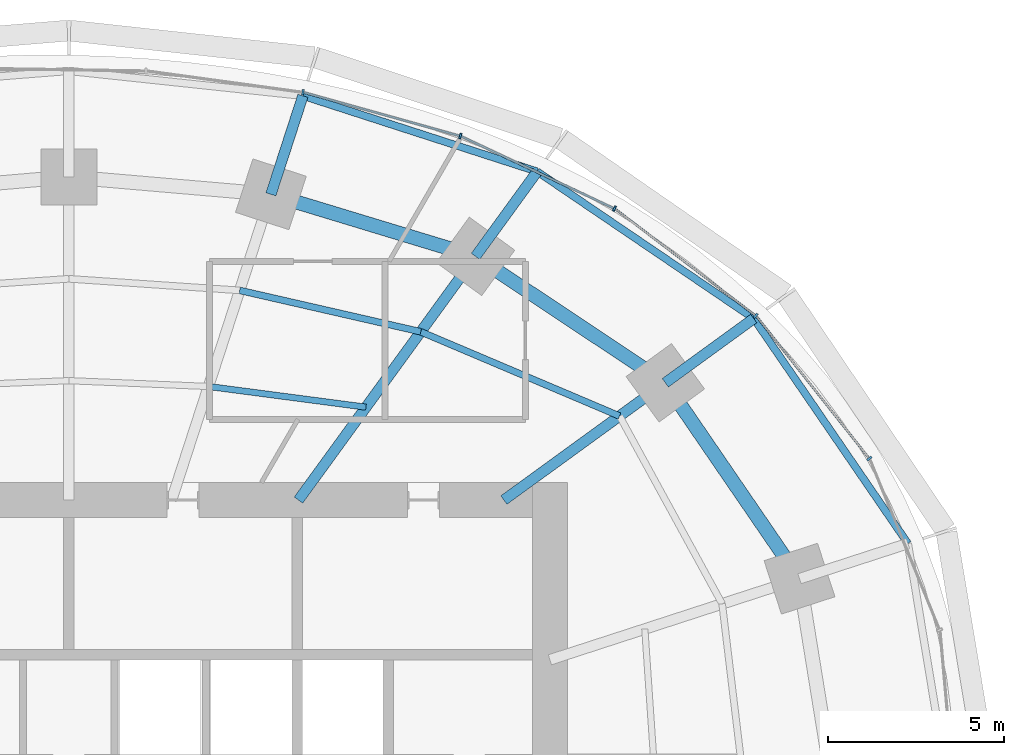
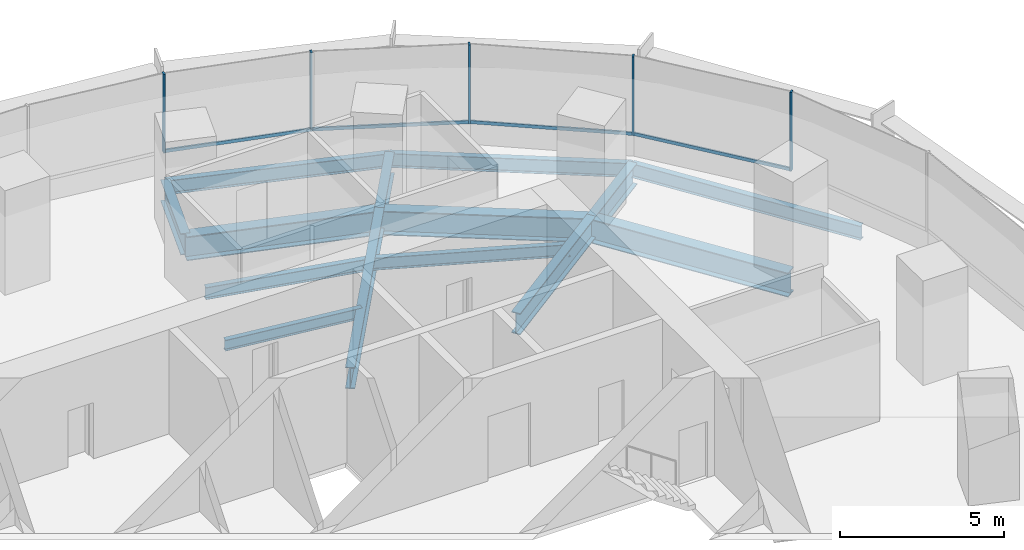
# One storey, part 8 of 14: 14 beams, 9 members, 2 elements without a shape of their own.
"""IFC4 building model written with IfcOpenShell, lengths in metres."""

from ifc_helpers import new_model, si_unit, direction, frame, origin, origin_2d, place, context, subcontext, project, spatial, rectangle, i_section, extrude, material, material_profile, profile_set, type_object, element, aggregate, save


model = new_model("IFC4")

# Units and contexts
model_context = context("Model", 3, precision=1e-05, world=origin(), true_north=direction((0.0, 1.0)))
body_context = subcontext(model_context, "Body", "Model", "MODEL_VIEW")
ifc_project = project(units=[si_unit("LENGTHUNIT", "METRE"), si_unit("AREAUNIT", "SQUARE_METRE"), si_unit("VOLUMEUNIT", "CUBIC_METRE"), si_unit("PLANEANGLEUNIT", "RADIAN"), si_unit("MASSUNIT", "GRAM", prefix="KILO")], contexts=[model_context])

# Site, building, storey
site_placement = place(None, origin())
site = spatial("IfcSite", under=ifc_project, at=site_placement, CompositionType="ELEMENT")
building_placement = place(site_placement, origin())
building = spatial("IfcBuilding", under=site, at=building_placement, Name="Marramba Exchange Tower", CompositionType="ELEMENT")
storey_placement = place(building_placement, frame((0.0, 0.0, 143.10009765625)))
storey = spatial("IfcBuildingStorey", under=building, at=storey_placement, Name="L34", CompositionType="ELEMENT", Elevation=143.10009765625)

# Beams
ifc_material_1 = material(Name="Steel AS/NZS 3679.2 grade 300", Category="steel")
ifc_material_profile_1 = material_profile(ifc_material_1, i_section(OverallWidth=0.300048828125, OverallDepth=0.800048828125, WebThickness=0.013916015625, FlangeThickness=0.031982421875, at=origin_2d()), Name="800WB192")
ifc_profile_set_1 = profile_set([ifc_material_profile_1], Name="Steel AS/NZS 3679.2 grade 300")
beam_type_1 = type_object("IfcBeamType", Name="Cantilever girder 800WB192", PredefinedType="BEAM", material=ifc_profile_set_1)
beam_1_placement = place(storey_placement, frame((16.98583984375, 12.3408203125, -0.56005859375), z_axis=(0.809013970709, 0.58778941399, 0.0), x_axis=(-0.58778941399, 0.809013970709, 0.0)))
element("IfcBeam", 1, at=beam_1_placement, inside=storey, type_object=beam_type_1, Name="Cantilever girder L34 TC03", PredefinedType="BEAM", context=body_context, shape_type="SweptSolid", body=[
    extrude(i_section(OverallWidth=0.300048828125, OverallDepth=0.800048828125, WebThickness=0.013916015625, FlangeThickness=0.031982421875, at=origin_2d()), origin(), (0.0, 0.0, 1.0), 3.1142578125),
])
beam_2_placement = place(storey_placement, frame((11.581298828125, 15.9404296875, -0.56005859375), z_axis=(0.587821738214, 0.808990484544, 0.0), x_axis=(-0.808990484544, 0.587821738214, 0.0)))
element("IfcBeam", 2, at=beam_2_placement, inside=storey, type_object=beam_type_1, Name="Cantilever girder L34 TC04", PredefinedType="BEAM", context=body_context, shape_type="SweptSolid", body=[
    extrude(i_section(OverallWidth=0.300048828125, OverallDepth=0.800048828125, WebThickness=0.013916015625, FlangeThickness=0.031982421875, at=origin_2d()), origin(), (0.0, 0.0, 1.0), 2.987060546875),
])
beam_3_placement = place(storey_placement, frame((5.75390625, 17.70849609375, -0.56005859375), z_axis=(0.309018704887, 0.951055960514, 0.0), x_axis=(-0.951055960514, 0.309018704887, 0.0)))
element("IfcBeam", 3, at=beam_3_placement, inside=storey, type_object=beam_type_1, Name="Cantilever girder L34 TC05", PredefinedType="BEAM", context=body_context, shape_type="SweptSolid", body=[
    extrude(i_section(OverallWidth=0.300048828125, OverallDepth=0.800048828125, WebThickness=0.013916015625, FlangeThickness=0.031982421875, at=origin_2d()), origin(), (0.0, 0.0, 1.0), 2.949951171875),
])
ifc_material_2 = material(Name="Steel AS/NZS 3679.1 grade 300", Category="steel")
ifc_material_profile_2 = material_profile(ifc_material_2, i_section(OverallWidth=0.177978515625, OverallDepth=0.406005859375, WebThickness=0.0078125, FlangeThickness=0.0126953125, FilletRadius=0.011474609375, at=origin_2d()), Name="410UB59.7")
ifc_profile_set_2 = profile_set([ifc_material_profile_2], Name="Steel AS/NZS 3679.1 grade 300")
beam_type_2 = type_object("IfcBeamType", Name="Floor joist 410UB59.7", PredefinedType="JOIST", material=ifc_profile_set_2)
beam_4_placement = place(storey_placement, frame((8.4619140625, 11.646728515625, -0.363037109375), z_axis=(-0.991480538255, 0.130254912618, 0.0), x_axis=(-0.130254912618, -0.991480538255, 0.0)))
element("IfcBeam", 4, at=beam_4_placement, inside=storey, type_object=beam_type_2, Name="Joist L34 bay 04 row 1", PredefinedType="JOIST", context=body_context, shape_type="SweptSolid", body=[
    extrude(i_section(OverallWidth=0.177978515625, OverallDepth=0.406005859375, WebThickness=0.0078125, FlangeThickness=0.0126953125, FilletRadius=0.011474609375, at=origin_2d()), origin(), (0.0, 0.0, 1.0), 4.524658203125),
])
ifc_material_profile_3 = material_profile(ifc_material_2, i_section(OverallWidth=0.18994140625, OverallDepth=0.4541015625, WebThickness=0.008544921875, FlangeThickness=0.0126953125, FilletRadius=0.011474609375, at=origin_2d()), Name="460UB67.1")
ifc_profile_set_3 = profile_set([ifc_material_profile_3], Name="Steel AS/NZS 3679.1 grade 300")
beam_type_3 = type_object("IfcBeamType", Name="Floor joist 460UB67.1", PredefinedType="JOIST", material=ifc_profile_set_3)
beam_5_placement = place(storey_placement, frame((15.682373046875, 11.393798828125, -0.38720703125), z_axis=(-0.920674336375, 0.390331610738, 0.0), x_axis=(-0.390331610738, -0.920674336375, 0.0)))
element("IfcBeam", 5, at=beam_5_placement, inside=storey, type_object=beam_type_3, Name="Joist L34 bay 03 row 2", PredefinedType="JOIST", context=body_context, shape_type="SweptSolid", body=[
    extrude(i_section(OverallWidth=0.18994140625, OverallDepth=0.4541015625, WebThickness=0.008544921875, FlangeThickness=0.0126953125, FilletRadius=0.011474609375, at=origin_2d()), origin(), (0.0, 0.0, 1.0), 6.1484375),
])
beam_6_placement = place(storey_placement, frame((10.021728515625, 13.793701171875, -0.38720703125), z_axis=(-0.974859652292, 0.222819788916, 0.0), x_axis=(-0.222819788916, -0.974859652292, 0.0)))
element("IfcBeam", 6, at=beam_6_placement, inside=storey, type_object=beam_type_3, Name="Joist L34 bay 04 row 2", PredefinedType="JOIST", context=body_context, shape_type="SweptSolid", body=[
    extrude(i_section(OverallWidth=0.18994140625, OverallDepth=0.4541015625, WebThickness=0.008544921875, FlangeThickness=0.0126953125, FilletRadius=0.011474609375, at=origin_2d()), origin(), (0.0, 0.0, 1.0), 5.2900390625),
])

# Curtain wall, members
ifc_material_3 = material(Name="Aluminium framing, bronze anodised", Category="aluminium")
curtain_wall_type = type_object("IfcCurtainWallType", Name="Office ribbon curtain wall", PredefinedType="USERDEFINED", material=ifc_material_3)
curtain_wall_1_placement = place(storey_placement, origin())
curtain_wall_1 = element("IfcCurtainWall", 7, at=curtain_wall_1_placement, inside=storey, type_object=curtain_wall_type, Name="Curtain wall CW4 L34 F01-F05", ObjectType="RIBBON CURTAIN WALL", PredefinedType="USERDEFINED")
ifc_material_4 = material(Name="Aluminium mullion, bronze anodised", Category="aluminium")
ifc_material_profile_4 = material_profile(ifc_material_4, rectangle(XDim=0.159912109375, YDim=0.06005859375, at=origin_2d()), Name="CW4 mullion 60x160")
ifc_profile_set_4 = profile_set([ifc_material_profile_4], Name="Aluminium mullion, bronze anodised")
member_type_1 = type_object("IfcMemberType", Name="Office ribbon curtain wall mullion", PredefinedType="MULLION", material=ifc_profile_set_4)
member_1_placement = place(storey_placement, frame((22.796630859375, 10.181640625, 0.7998046875), z_axis=(0.0, 0.0, 1.0), x_axis=(-0.783563266703, -0.621312004611, 0.0)))
member_1 = element("IfcMember", 8, at=member_1_placement, type_object=member_type_1, Name="CW4 mullion 1", PredefinedType="MULLION", context=body_context, shape_type="SweptSolid", body=[
    extrude(rectangle(XDim=0.159912109375, YDim=0.06005859375, at=origin_2d()), origin(), (0.0, 0.0, 1.0), 2.940185546875),
])
member_2_placement = place(storey_placement, frame((19.5625, 14.24853515625, 0.7998046875), z_axis=(0.0, 0.0, 1.0), x_axis=(-0.60533377223, -0.795971748366, 0.0)))
member_2 = element("IfcMember", 9, at=member_2_placement, type_object=member_type_1, Name="CW4 mullion 1", PredefinedType="MULLION", context=body_context, shape_type="SweptSolid", body=[
    extrude(rectangle(XDim=0.159912109375, YDim=0.06005859375, at=origin_2d()), origin(), (0.0, 0.0, 1.0), 2.940185546875),
])
member_3_placement = place(storey_placement, frame((15.538818359375, 17.300537109375, 0.7998046875), z_axis=(0.0, 0.0, 1.0), x_axis=(-0.426678995157, -0.904403137485, 0.0)))
member_3 = element("IfcMember", 10, at=member_3_placement, type_object=member_type_1, Name="CW4 mullion 1", PredefinedType="MULLION", context=body_context, shape_type="SweptSolid", body=[
    extrude(rectangle(XDim=0.159912109375, YDim=0.06005859375, at=origin_2d()), origin(), (0.0, 0.0, 1.0), 2.940185546875),
])

curtain_wall_2_placement = place(storey_placement, origin())
curtain_wall_2 = element("IfcCurtainWall", 11, at=curtain_wall_2_placement, inside=storey, type_object=curtain_wall_type, Name="Curtain wall CW4 L34 F06-F10", ObjectType="RIBBON CURTAIN WALL", PredefinedType="USERDEFINED")
member_4_placement = place(storey_placement, frame((11.147705078125, 19.366455078125, 0.7998046875), z_axis=(0.0, 0.0, 1.0), x_axis=(-0.268865090816, -0.963177845956, 0.0)))
member_4 = element("IfcMember", 12, at=member_4_placement, type_object=member_type_1, Name="CW4 mullion 1", PredefinedType="MULLION", context=body_context, shape_type="SweptSolid", body=[
    extrude(rectangle(XDim=0.159912109375, YDim=0.06005859375, at=origin_2d()), origin(), (0.0, 0.0, 1.0), 2.940185546875),
])
member_5_placement = place(storey_placement, frame((6.66650390625, 20.61328125, 0.7998046875), z_axis=(0.0, 0.0, 1.0), x_axis=(-0.135785837319, -0.990738212841, 0.0)))
member_5 = element("IfcMember", 13, at=member_5_placement, type_object=member_type_1, Name="CW4 mullion 1", PredefinedType="MULLION", context=body_context, shape_type="SweptSolid", body=[
    extrude(rectangle(XDim=0.159912109375, YDim=0.06005859375, at=origin_2d()), origin(), (0.0, 0.0, 1.0), 2.940185546875),
])

# Member
ifc_material_5 = material(Name="Aluminium transom, bronze anodised", Category="aluminium")
ifc_material_profile_5 = material_profile(ifc_material_5, rectangle(XDim=0.06005859375, YDim=0.1201171875, at=origin_2d()), Name="CW4 transom 60x120")
ifc_profile_set_5 = profile_set([ifc_material_profile_5], Name="Aluminium transom, bronze anodised")
member_type_2 = type_object("IfcMemberType", Name="Office ribbon curtain wall transom", PredefinedType="USERDEFINED", material=ifc_profile_set_5)
member_6_placement = place(storey_placement, frame((22.778076171875, 10.205078125, 0.829833984375), z_axis=(-0.621339379472, 0.783541559534, 0.0), x_axis=(-0.783541559534, -0.621339379472, 0.0)))
member_6 = element("IfcMember", 14, at=member_6_placement, type_object=member_type_2, Name="CW4 sill transom", ObjectType="TRANSOM", PredefinedType="USERDEFINED", context=body_context, shape_type="SweptSolid", body=[
    extrude(rectangle(XDim=0.06005859375, YDim=0.1201171875, at=origin_2d()), origin(), (0.0, 0.0, 1.0), 5.13720703125),
])

member_7_placement = place(storey_placement, frame((19.53857421875, 14.2666015625, 0.829833984375), z_axis=(-0.7959906025, 0.605308979556, 0.0), x_axis=(-0.605308979556, -0.7959906025, 0.0)))
member_7 = element("IfcMember", 15, at=member_7_placement, type_object=member_type_2, Name="CW4 sill transom", ObjectType="TRANSOM", PredefinedType="USERDEFINED", context=body_context, shape_type="SweptSolid", body=[
    extrude(rectangle(XDim=0.06005859375, YDim=0.1201171875, at=origin_2d()), origin(), (0.0, 0.0, 1.0), 4.99072265625),
])

member_8_placement = place(storey_placement, frame((15.51171875, 17.313232421875, 0.829833984375), z_axis=(-0.904410826824, 0.426662696193, 0.0), x_axis=(-0.426662696193, -0.904410826824, 0.0)))
member_8 = element("IfcMember", 16, at=member_8_placement, type_object=member_type_2, Name="CW4 sill transom", ObjectType="TRANSOM", PredefinedType="USERDEFINED", context=body_context, shape_type="SweptSolid", body=[
    extrude(rectangle(XDim=0.06005859375, YDim=0.1201171875, at=origin_2d()), origin(), (0.0, 0.0, 1.0), 4.79345703125),
])

aggregate(curtain_wall_1, [member_1, member_6, member_2, member_7, member_3, member_8])

member_9_placement = place(storey_placement, frame((11.118896484375, 19.37451171875, 0.829833984375), z_axis=(-0.963173567938, 0.268880415847, 0.0), x_axis=(-0.268880415847, -0.963173567938, 0.0)))
member_9 = element("IfcMember", 17, at=member_9_placement, type_object=member_type_2, Name="CW4 sill transom", ObjectType="TRANSOM", PredefinedType="USERDEFINED", context=body_context, shape_type="SweptSolid", body=[
    extrude(rectangle(XDim=0.06005859375, YDim=0.1201171875, at=origin_2d()), origin(), (0.0, 0.0, 1.0), 4.591796875),
])

aggregate(curtain_wall_2, [member_4, member_9, member_5])

# Beams
ifc_material_profile_6 = material_profile(ifc_material_1, i_section(OverallWidth=0.300048828125, OverallDepth=0.800048828125, WebThickness=0.013916015625, FlangeThickness=0.031982421875, at=origin_2d()), Name="800WB192")
ifc_profile_set_6 = profile_set([ifc_material_profile_6], Name="Steel AS/NZS 3679.2 grade 300")
beam_type_4 = type_object("IfcBeamType", Name="Radial girder 800WB192", PredefinedType="BEAM", material=ifc_profile_set_6)
beam_7_placement = place(storey_placement, frame((12.387451171875, 9.0, -0.56005859375), z_axis=(0.809025746925, 0.587773205252, 0.0), x_axis=(-0.587773205252, 0.809025746925, 0.0)))
element("IfcBeam", 18, at=beam_7_placement, inside=storey, type_object=beam_type_4, Name="Radial girder L34 TC03", PredefinedType="BEAM", context=body_context, shape_type="SweptSolid", body=[
    extrude(i_section(OverallWidth=0.300048828125, OverallDepth=0.800048828125, WebThickness=0.013916015625, FlangeThickness=0.031982421875, at=origin_2d()), origin(), (0.0, 0.0, 1.0), 5.683837890625),
])
beam_8_placement = place(storey_placement, frame((6.538818359375, 9.0, -0.56005859375), z_axis=(0.587782439969, 0.80901903764, 0.0), x_axis=(-0.80901903764, 0.587782439969, 0.0)))
element("IfcBeam", 19, at=beam_8_placement, inside=storey, type_object=beam_type_4, Name="Radial girder L34 TC04", PredefinedType="BEAM", context=body_context, shape_type="SweptSolid", body=[
    extrude(i_section(OverallWidth=0.300048828125, OverallDepth=0.800048828125, WebThickness=0.013916015625, FlangeThickness=0.031982421875, at=origin_2d()), origin(), (0.0, 0.0, 1.0), 8.578857421875),
])
ifc_material_profile_7 = material_profile(ifc_material_1, i_section(OverallWidth=0.39990234375, OverallDepth=0.89990234375, WebThickness=0.01611328125, FlangeThickness=0.031982421875, at=origin_2d()), Name="900WB282")
ifc_profile_set_7 = profile_set([ifc_material_profile_7], Name="Steel AS/NZS 3679.2 grade 300")
beam_type_5 = type_object("IfcBeamType", Name="Ring beam 900WB282", PredefinedType="SPANDREL", material=ifc_profile_set_7)
beam_9_placement = place(storey_placement, frame((20.808349609375, 6.760986328125, -0.610107421875), z_axis=(-0.56516002054, 0.824981303535, 0.0), x_axis=(-0.824981303535, -0.56516002054, 0.0)))
element("IfcBeam", 20, at=beam_9_placement, inside=storey, type_object=beam_type_5, Name="Ring beam L34 TC02-TC03", PredefinedType="SPANDREL", context=body_context, shape_type="SweptSolid", body=[
    extrude(i_section(OverallWidth=0.39990234375, OverallDepth=0.89990234375, WebThickness=0.01611328125, FlangeThickness=0.031982421875, at=origin_2d()), origin(), (0.0, 0.0, 1.0), 6.763671875),
])
beam_10_placement = place(storey_placement, frame((16.98583984375, 12.3408203125, -0.610107421875), z_axis=(-0.832293151443, 0.554335737673, 0.0), x_axis=(-0.554335737673, -0.832293151443, 0.0)))
element("IfcBeam", 21, at=beam_10_placement, inside=storey, type_object=beam_type_5, Name="Ring beam L34 TC03-TC04", PredefinedType="SPANDREL", context=body_context, shape_type="SweptSolid", body=[
    extrude(i_section(OverallWidth=0.39990234375, OverallDepth=0.89990234375, WebThickness=0.01611328125, FlangeThickness=0.031982421875, at=origin_2d()), origin(), (0.0, 0.0, 1.0), 6.49365234375),
])
beam_11_placement = place(storey_placement, frame((11.581298828125, 15.9404296875, -0.610107421875), z_axis=(-0.956924542524, 0.290336735387, 0.0), x_axis=(-0.290336735387, -0.956924542524, 0.0)))
element("IfcBeam", 22, at=beam_11_placement, inside=storey, type_object=beam_type_5, Name="Ring beam L34 TC04-TC05", PredefinedType="SPANDREL", context=body_context, shape_type="SweptSolid", body=[
    extrude(i_section(OverallWidth=0.39990234375, OverallDepth=0.89990234375, WebThickness=0.01611328125, FlangeThickness=0.031982421875, at=origin_2d()), origin(), (0.0, 0.0, 1.0), 6.089599609375),
])
ifc_material_profile_8 = material_profile(ifc_material_2, i_section(OverallWidth=0.208984375, OverallDepth=0.528076171875, WebThickness=0.009521484375, FlangeThickness=0.01318359375, FilletRadius=0.013916015625, at=origin_2d()), Name="530UB82.0")
ifc_profile_set_8 = profile_set([ifc_material_profile_8], Name="Steel AS/NZS 3679.1 grade 300")
beam_type_6 = type_object("IfcBeamType", Name="Slab edge beam 530UB82.0", PredefinedType="SPANDREL", material=ifc_profile_set_8)
beam_12_placement = place(storey_placement, frame((23.89501953125, 7.763916015625, -0.424072265625), z_axis=(-0.56517400038, 0.824971726361, 0.0), x_axis=(-0.824971726361, -0.56517400038, 0.0)))
element("IfcBeam", 23, at=beam_12_placement, inside=storey, type_object=beam_type_6, Name="Slab edge beam L34 TC02-TC03", PredefinedType="SPANDREL", context=body_context, shape_type="SweptSolid", body=[
    extrude(i_section(OverallWidth=0.208984375, OverallDepth=0.528076171875, WebThickness=0.009521484375, FlangeThickness=0.01318359375, FilletRadius=0.013916015625, at=origin_2d()), origin(), (0.0, 0.0, 1.0), 7.766845703125),
])
beam_13_placement = place(storey_placement, frame((19.50537109375, 14.17138671875, -0.424072265625), z_axis=(-0.827477404833, 0.561499015574, 0.0), x_axis=(-0.561499015574, -0.827477404833, 0.0)))
element("IfcBeam", 24, at=beam_13_placement, inside=storey, type_object=beam_type_6, Name="Slab edge beam L34 TC03-TC04", PredefinedType="SPANDREL", context=body_context, shape_type="SweptSolid", body=[
    extrude(i_section(OverallWidth=0.208984375, OverallDepth=0.528076171875, WebThickness=0.009521484375, FlangeThickness=0.01318359375, FilletRadius=0.013916015625, at=origin_2d()), origin(), (0.0, 0.0, 1.0), 7.454345703125),
])
beam_14_placement = place(storey_placement, frame((13.337158203125, 18.35693359375, -0.424072265625), z_axis=(-0.951496392577, 0.307659901373, 0.0), x_axis=(-0.307659901373, -0.951496392577, 0.0)))
element("IfcBeam", 25, at=beam_14_placement, inside=storey, type_object=beam_type_6, Name="Slab edge beam L34 TC04-TC05", PredefinedType="SPANDREL", context=body_context, shape_type="SweptSolid", body=[
    extrude(i_section(OverallWidth=0.208984375, OverallDepth=0.528076171875, WebThickness=0.009521484375, FlangeThickness=0.01318359375, FilletRadius=0.013916015625, at=origin_2d()), origin(), (0.0, 0.0, 1.0), 7.01171875),
])

save(model, "model.ifc")
